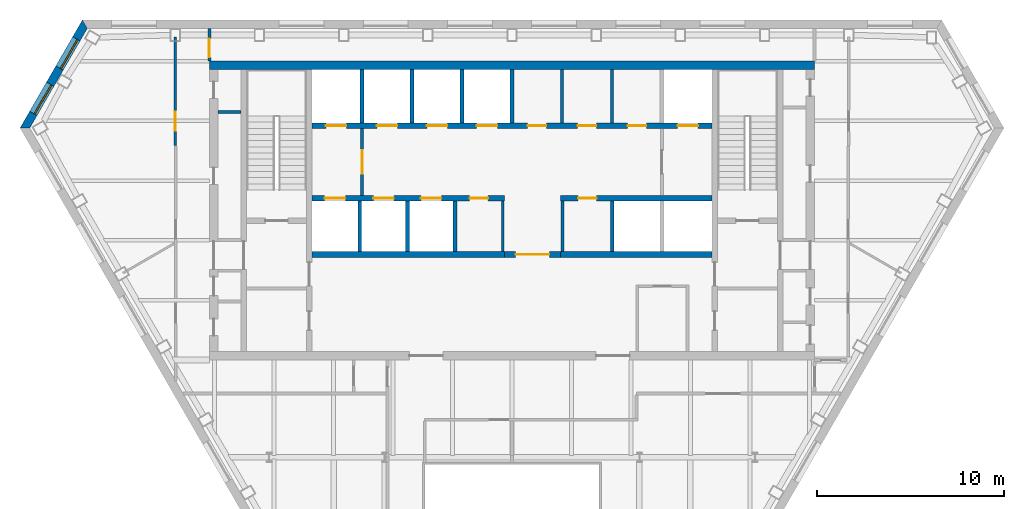
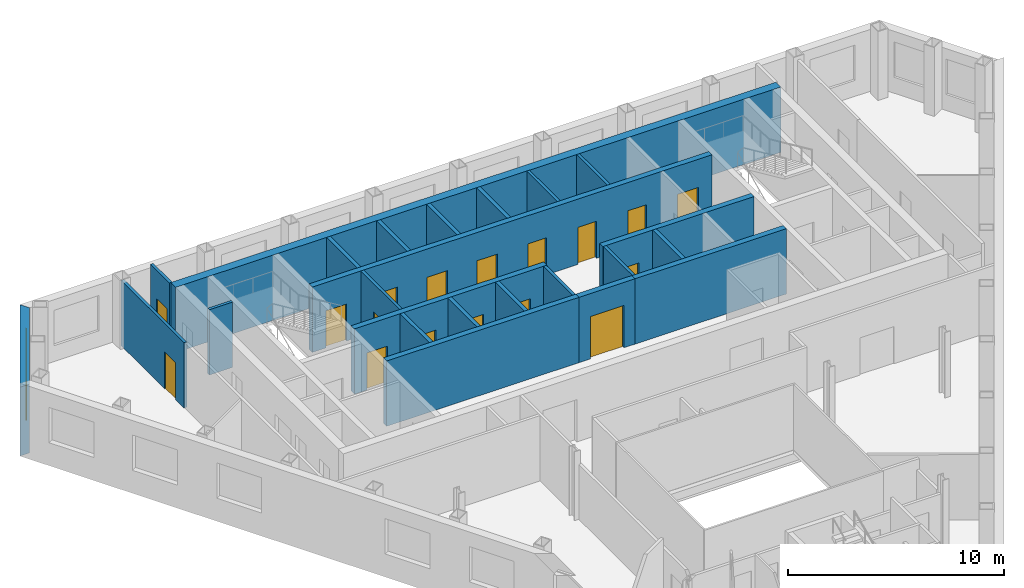
# One storey, part 6 of 10: 24 walls, 17 doors, 2 windows, 19 openings.
"""IFC4 building model written with IfcOpenShell, lengths in metres."""

import ifcopenshell
import ifcopenshell.guid

model = None  # the IFC model being written
_history = None  # IfcOwnerHistory: only IFC2X3 demands one
_inside = {}  # id of a spatial element -> (the spatial element, [elements in it])
_under = {}  # id of a project, library or spatial element -> (it, [spatial elements below it])
_declared = {}  # id of a project -> (the project, [libraries it declares])
_typed = {}  # id of a type object -> (the type object, [elements of that type])
_made_of = {}  # id of a material, layer set ... -> (it, [elements and type objects made of it])


def new_model(schema):
    """Start an empty IFC model of exactly this schema.

    Asked for "IFC4X3", IfcOpenShell would pick the latest addendum, in which some entities
    have other attributes; the version numbers below select the first issue.
    IFC2X3 requires an IfcOwnerHistory on every rooted entity: one is made here for all.
    """
    global model, _history
    if schema == "IFC4X3":
        model = ifcopenshell.file(schema_version=(4, 3, 0, 0))
    else:
        model = ifcopenshell.file(schema=schema)
    _inside.clear()
    _under.clear()
    _declared.clear()
    _typed.clear()
    _made_of.clear()
    _history = None
    if model.schema == "IFC2X3":
        org = make("IfcOrganization", Name="unknown")
        user = make(
            "IfcPersonAndOrganization",
            ThePerson=make("IfcPerson", FamilyName="unknown"),
            TheOrganization=org,
        )
        app = make(
            "IfcApplication",
            ApplicationDeveloper=org,
            Version="unknown",
            ApplicationFullName="unknown",
            ApplicationIdentifier="unknown",
        )
        _history = make(
            "IfcOwnerHistory",
            OwningUser=user,
            OwningApplication=app,
            ChangeAction="ADDED",
            CreationDate=0,
        )
    return model


def make(cls, **values):
    """One entity of the class cls with the attributes given. An attribute that is None is left unset."""
    return model.create_entity(
        cls, **{name: value for name, value in values.items() if value is not None}
    )


def rooted(cls, **values):
    """An entity with a GlobalId (a new one), such as an element, a storey or a relation."""
    return make(cls, GlobalId=ifcopenshell.guid.new(), OwnerHistory=_history, **values)


def si_unit(unit_type, name, prefix=None):
    """IfcSIUnit, for example si_unit("LENGTHUNIT", "METRE", prefix="MILLI")."""
    return make("IfcSIUnit", UnitType=unit_type, Prefix=prefix, Name=name)


def assignment(units):
    """IfcUnitAssignment: the units of a project."""
    return None if units is None else make("IfcUnitAssignment", Units=units)


def point(xyz):
    """IfcCartesianPoint."""
    return None if xyz is None else make("IfcCartesianPoint", Coordinates=xyz)


def direction(xyz):
    """IfcDirection."""
    return None if xyz is None else make("IfcDirection", DirectionRatios=xyz)


def frame(location, z_axis=None, x_axis=None):
    """IfcAxis2Placement3D, a coordinate frame: its origin and axes. An axis left out is left unset."""
    return make(
        "IfcAxis2Placement3D",
        Location=point(location),
        Axis=direction(z_axis),
        RefDirection=direction(x_axis),
    )


def frame_2d(location, x_axis=None):
    """IfcAxis2Placement2D, a coordinate frame in the plane: its origin and x axis."""
    return make(
        "IfcAxis2Placement2D", Location=point(location), RefDirection=direction(x_axis)
    )


def origin():
    """The frame at (0, 0, 0) with its axes left unset."""
    return frame((0.0, 0.0, 0.0))


def place(relative_to, where):
    """IfcLocalPlacement: puts the frame where relative to a parent placement (None: the world)."""
    return make(
        "IfcLocalPlacement", PlacementRelTo=relative_to, RelativePlacement=where
    )


def context(
    kind, dimensions, precision=None, world=None, true_north=None, identifier=None
):
    """IfcGeometricRepresentationContext, for example the 3D "Model" context."""
    return make(
        "IfcGeometricRepresentationContext",
        ContextIdentifier=identifier,
        ContextType=kind,
        CoordinateSpaceDimension=dimensions,
        Precision=precision,
        WorldCoordinateSystem=world,
        TrueNorth=true_north,
    )


def subcontext(parent, identifier, kind, view, scale=None):
    """IfcGeometricRepresentationSubContext, for example "Body" below "Model"."""
    return make(
        "IfcGeometricRepresentationSubContext",
        ContextIdentifier=identifier,
        ContextType=kind,
        ParentContext=parent,
        TargetScale=scale,
        TargetView=view,
    )


def project(units=None, contexts=None):
    """IfcProject with its units and contexts."""
    return rooted(
        "IfcProject",
        Name="project",
        RepresentationContexts=contexts,
        UnitsInContext=assignment(units),
    )


def spatial(cls, under=None, at=None, **own):
    """A site, building, storey or space (cls), placed at a placement, below another one or the project."""
    s = rooted(cls, ObjectPlacement=at, **own)
    if under is not None:
        _under.setdefault(under.id(), (under, []))[1].append(s)
    return s


def polyline(points):
    """IfcPolyline through the points."""
    return make("IfcPolyline", Points=[point(p) for p in points])


def profile(cls, at=None, kind="AREA", **sizes):
    """A parametric profile (cls). Its sizes go by their IFC names, for example OverallWidth=200.0."""
    return make(cls, ProfileType=kind, Position=at, **sizes)


def rectangle(**sizes):
    """IfcRectangleProfileDef."""
    return profile("IfcRectangleProfileDef", **sizes)


def outline(outer, holes=None, kind="AREA"):
    """IfcArbitraryClosedProfileDef: a profile drawn as a closed curve; with holes, ...WithVoids."""
    if holes is None:
        return make("IfcArbitraryClosedProfileDef", ProfileType=kind, OuterCurve=outer)
    return make(
        "IfcArbitraryProfileDefWithVoids",
        ProfileType=kind,
        OuterCurve=outer,
        InnerCurves=holes,
    )


def extrude(swept, where, along, depth):
    """IfcExtrudedAreaSolid: the profile swept, set in the frame where, extruded along a direction by depth."""
    return make(
        "IfcExtrudedAreaSolid",
        SweptArea=swept,
        Position=where,
        ExtrudedDirection=direction(along),
        Depth=depth,
    )


def shape(context_of_items, identifier, shape_type, items):
    """IfcShapeRepresentation: the items that make up one representation, for example the "Body"."""
    return make(
        "IfcShapeRepresentation",
        ContextOfItems=context_of_items,
        RepresentationIdentifier=identifier,
        RepresentationType=shape_type,
        Items=items,
    )


def material(Name=None, Category=None):
    """IfcMaterial."""
    return make("IfcMaterial", Name=Name, Category=Category)


def layer(
    of_material, thickness, ventilated=None, Name=None, Category=None, Priority=None
):
    """IfcMaterialLayer: one layer of a wall or slab, of a material (None: an air gap)."""
    return make(
        "IfcMaterialLayer",
        Material=of_material,
        LayerThickness=thickness,
        IsVentilated=ventilated,
        Name=Name,
        Category=Category,
        Priority=Priority,
    )


def layer_set(layers, Name=None):
    """IfcMaterialLayerSet."""
    return make("IfcMaterialLayerSet", MaterialLayers=layers, LayerSetName=Name)


def made_of(thing, what):
    """Note that an element or type object is made of a material, layer set ...; save() writes the relation."""
    if what is not None:
        _made_of.setdefault(what.id(), (what, []))[1].append(thing)
    return thing


def type_object(cls, material=None, **own):
    """A type object (cls), such as IfcWallType, which elements share."""
    return made_of(rooted(cls, **own), material)


def element(
    cls,
    number,
    at=None,
    inside=None,
    cuts=None,
    type_object=None,
    material=None,
    context=None,
    identifier="Body",
    shape_type=None,
    held_by="IfcProductDefinitionShape",
    body=None,
    shapes=None,
    **own,
):
    """One element of the class cls, such as IfcWall. Its Tag is "e" and its number.

    at: its placement. inside: the storey or other place that contains it. cuts: it is an
    opening in that element (IfcRelVoidsElement). A single representation is given by context,
    identifier, shape_type and body (its items); several are given by shapes. held_by: the class
    of the entity that holds the representations. save() writes the other relations.
    """
    e = rooted(cls, Tag="e%d" % number, ObjectPlacement=at, **own)
    if body is not None:
        shapes = [shape(context, identifier, shape_type, body)]
    if shapes is not None:
        e.Representation = make(held_by, Representations=shapes)
    if inside is not None:
        _inside.setdefault(inside.id(), (inside, []))[1].append(e)
    if cuts is not None:
        rooted(
            "IfcRelVoidsElement", RelatingBuildingElement=cuts, RelatedOpeningElement=e
        )
    if type_object is not None:
        _typed.setdefault(type_object.id(), (type_object, []))[1].append(e)
    return made_of(e, material)


def fill(opening, filler):
    """IfcRelFillsElement: the door or window that sits in an opening."""
    return rooted(
        "IfcRelFillsElement",
        RelatingOpeningElement=opening,
        RelatedBuildingElement=filler,
    )


def aggregate(whole, parts):
    """IfcRelAggregates: a whole, such as a stair, and the parts it consists of."""
    return rooted("IfcRelAggregates", RelatingObject=whole, RelatedObjects=parts)


def save(model, path):
    """Write the relations noted so far, then the file.

    IfcRelAggregates (storeys below a building ...), IfcRelContainedInSpatialStructure (elements
    in a storey), IfcRelDefinesByType, IfcRelAssociatesMaterial and IfcRelDeclares: one each for
    every whole, place, type object, material and project.
    """
    for whole, parts in _under.values():
        aggregate(whole, parts)
    for where, things in _inside.values():
        rooted(
            "IfcRelContainedInSpatialStructure",
            RelatedElements=things,
            RelatingStructure=where,
        )
    for kind, things in _typed.values():
        rooted("IfcRelDefinesByType", RelatedObjects=things, RelatingType=kind)
    for what, things in _made_of.values():
        rooted("IfcRelAssociatesMaterial", RelatedObjects=things, RelatingMaterial=what)
    for by, libraries in _declared.values():
        rooted("IfcRelDeclares", RelatingContext=by, RelatedDefinitions=libraries)
    model.write(path)


model = new_model("IFC4")

# Units and contexts
model_context = context("Model", 3, precision=1e-05, world=origin(), true_north=direction((0.0, 1.0)))
body_context = subcontext(model_context, "Body", "Model", "MODEL_VIEW")
ifc_project = project(units=[si_unit("LENGTHUNIT", "METRE"), si_unit("AREAUNIT", "SQUARE_METRE"), si_unit("VOLUMEUNIT", "CUBIC_METRE"), si_unit("PLANEANGLEUNIT", "RADIAN"), si_unit("MASSUNIT", "GRAM", prefix="KILO")], contexts=[model_context])

# Site, building, storey
site_placement = place(None, origin())
site = spatial("IfcSite", under=ifc_project, at=site_placement, CompositionType="ELEMENT")
building_placement = place(site_placement, origin())
building = spatial("IfcBuilding", under=site, at=building_placement, Name="Njiva Tower", CompositionType="ELEMENT")
storey_placement = place(building_placement, frame((0.0, 0.0, 235.5)))
storey = spatial("IfcBuildingStorey", under=building, at=storey_placement, Name="L53", CompositionType="ELEMENT", Elevation=235.5)

# Walls
ifc_material_1 = material(Name="Blockwork", Category="masonry")
ifc_layer_1 = layer(ifc_material_1, 0.15)
ifc_layer_set_1 = layer_set([ifc_layer_1], Name="Blockwork")
wall_type_1 = type_object("IfcWallType", Name="WT1 Compartment partition 150", PredefinedType="PARTITIONING", material=ifc_layer_set_1)
for number, where, z_axis, x_axis, name in (
    (1, (2.675, 14.7, 0.0), (0.0, 0.0, 1.0), (0.0, 1.0, 0.0), "Partition CN5"),
    (2, (5.35, 14.7, 0.0), (0.0, 0.0, 1.0), (0.0, 1.0, 0.0), "Partition CN6"),
):
    element("IfcWall", number, at=place(storey_placement, frame(where, z_axis=z_axis, x_axis=x_axis)), inside=storey, type_object=wall_type_1, Name=name, PredefinedType="PARTITIONING", context=body_context, shape_type="SweptSolid", body=[
        extrude(rectangle(XDim=2.85, YDim=0.15, at=frame_2d((1.425, 0.0))), origin(), (0.0, 0.0, 1.0), 3.7),
    ])
for number, where, z_axis, x_axis, name in (
    (3, (-0.5, 7.8, 0.0), (0.0, 0.0, 1.0), (0.0, 1.0, 0.0), "Partition CS4"),
    (4, (2.7, 7.8, 0.0), (0.0, 0.0, 1.0), (0.0, 1.0, 0.0), "Partition CS5"),
):
    element("IfcWall", number, at=place(storey_placement, frame(where, z_axis=z_axis, x_axis=x_axis)), inside=storey, type_object=wall_type_1, Name=name, PredefinedType="PARTITIONING", context=body_context, shape_type="SweptSolid", body=[
        extrude(rectangle(XDim=2.7, YDim=0.15, at=frame_2d((1.35, 0.0))), origin(), (0.0, 0.0, 1.0), 3.7),
    ])
ifc_material_2 = material(Name="Concrete C60/75", Category="concrete")
ifc_layer_2 = layer(ifc_material_2, 0.45)
ifc_layer_set_2 = layer_set([ifc_layer_2], Name="Concrete C60/75")
wall_type_2 = type_object("IfcWallType", Name="WT12 Core wall 450", PredefinedType="SHEAR", material=ifc_layer_set_2)
wall_1_placement = place(storey_placement, frame((-16.2, 17.775, 0.0), z_axis=(0.0, 0.0, 1.0), x_axis=(1.0, 0.0, 0.0)))
element("IfcWall", 5, at=wall_1_placement, inside=storey, type_object=wall_type_2, Name="Core wall north", PredefinedType="SHEAR", context=body_context, shape_type="SweptSolid", body=[
    extrude(rectangle(XDim=32.4, YDim=0.45, at=frame_2d((16.2, 0.0))), origin(), (0.0, 0.0, 1.0), 3.7),
])

# Wall, opening, door
ifc_layer_3 = layer(ifc_material_1, 0.15)
ifc_layer_set_3 = layer_set([ifc_layer_3], Name="Blockwork")
wall_type_3 = type_object("IfcWallType", Name="WT2 Lobby partition 150", PredefinedType="PARTITIONING", material=ifc_layer_set_3)
wall_2_placement = place(storey_placement, frame((-8.025, 10.8, 0.0), z_axis=(0.0, 0.0, 1.0), x_axis=(0.0, 1.0, 0.0)))
wall_2 = element("IfcWall", 6, at=wall_2_placement, inside=storey, type_object=wall_type_3, Name="Firefighting lobby wall A", PredefinedType="PARTITIONING", context=body_context, shape_type="SweptSolid", body=[
    extrude(rectangle(XDim=3.6, YDim=0.15, at=frame_2d((1.8, 0.0))), origin(), (0.0, 0.0, 1.0), 3.7),
])
opening_1_placement = place(wall_2_placement, frame((1.175, 0.0, 0.0)))
opening_1 = element("IfcOpeningElement", 7, at=opening_1_placement, cuts=wall_2, Name="Opening S17-D914", PredefinedType="OPENING", context=body_context, shape_type="SweptSolid", body=[
    extrude(rectangle(XDim=1.25, YDim=2.1, at=frame_2d((0.625, 1.05))), frame((0.0, 0.085, 0.0), z_axis=(0.0, -1.0, 0.0), x_axis=(1.0, 0.0, 0.0)), (0.0, 0.0, 1.0), 0.17),
])
ifc_material_3 = material(Name="Glazed steel fire door", Category="steel")
door_type_1 = type_object("IfcDoorType", Name="D8 Vestibule corridor door 1250x2100 glazed", OperationType="SINGLE_SWING_LEFT", PredefinedType="DOOR", material=ifc_material_3)
door_1_placement = place(opening_1_placement, origin())
door_1 = element("IfcDoor", 8, at=door_1_placement, inside=storey, type_object=door_type_1, Name="Stair vestibule corridor door", OperationType="SINGLE_SWING_RIGHT", OverallHeight=2.1, OverallWidth=1.25, PredefinedType="DOOR", context=body_context, shape_type="SweptSolid", body=[
    extrude(rectangle(XDim=1.25, YDim=2.1, at=frame_2d((0.625, 1.05))), frame((0.0, 0.025, 0.0), z_axis=(0.0, -1.0, 0.0), x_axis=(1.0, 0.0, 0.0)), (0.0, 0.0, 1.0), 0.05),
])
fill(opening_1, door_1)

ifc_material_4 = material(Name="Gypsum board on steel studs", Category="gypsum")
ifc_layer_4 = layer(ifc_material_4, 0.15)
ifc_layer_set_4 = layer_set([ifc_layer_4], Name="Gypsum board on steel studs")
wall_type_4 = type_object("IfcWallType", Name="WT21 Compartment wall 150", PredefinedType="PARTITIONING", material=ifc_layer_set_4)
wall_3_placement = place(storey_placement, frame((-18.027, 13.476, 0.0), z_axis=(0.0, 0.0, 1.0), x_axis=(0.0, 1.0, 0.0)))
wall_3 = element("IfcWall", 9, at=wall_3_placement, inside=storey, type_object=wall_type_4, Name="Partition S17-P002", PredefinedType="PARTITIONING", context=body_context, shape_type="SweptSolid", body=[
    extrude(rectangle(XDim=5.824, YDim=0.15, at=frame_2d((2.912, 0.0))), origin(), (0.0, 0.0, 1.0), 3.7),
])
opening_2_placement = place(wall_3_placement, frame((0.803, 0.0, 0.0)))
opening_2 = element("IfcOpeningElement", 10, at=opening_2_placement, cuts=wall_3, Name="Opening S17-D001", PredefinedType="OPENING", context=body_context, shape_type="SweptSolid", body=[
    extrude(rectangle(XDim=1.0, YDim=2.1, at=frame_2d((0.5, 1.05))), frame((0.0, 0.085, 0.0), z_axis=(0.0, -1.0, 0.0), x_axis=(1.0, 0.0, 0.0)), (0.0, 0.0, 1.0), 0.17),
])
ifc_material_5 = material(Name="Steel fire door set", Category="steel")
door_type_2 = type_object("IfcDoorType", Name="D37 Fire door 1000x2100", OperationType="SINGLE_SWING_LEFT", PredefinedType="DOOR", material=ifc_material_5)
door_2_placement = place(opening_2_placement, origin())
door_2 = element("IfcDoor", 11, at=door_2_placement, inside=storey, type_object=door_type_2, Name="Door S17-D001", OperationType="SINGLE_SWING_RIGHT", OverallHeight=2.1, OverallWidth=1.0, PredefinedType="DOOR", context=body_context, shape_type="SweptSolid", body=[
    extrude(rectangle(XDim=1.0, YDim=2.1, at=frame_2d((0.5, 1.05))), frame((0.0, 0.025, 0.0), z_axis=(0.0, -1.0, 0.0), x_axis=(1.0, 0.0, 0.0)), (0.0, 0.0, 1.0), 0.05),
])
fill(opening_2, door_2)

wall_4_placement = place(storey_placement, frame((-16.2, 18.0, 0.0), z_axis=(0.0, 0.0, 1.0), x_axis=(0.0, 1.0, 0.0)))
wall_4 = element("IfcWall", 12, at=wall_4_placement, inside=storey, type_object=wall_type_4, Name="Partition S17-P005", PredefinedType="PARTITIONING", context=body_context, shape_type="SweptSolid", body=[
    extrude(rectangle(XDim=1.75, YDim=0.15, at=frame_2d((0.875, 0.0))), origin(), (0.0, 0.0, 1.0), 3.7),
])
opening_3_placement = place(wall_4_placement, frame((0.2, 0.0, 0.0)))
opening_3 = element("IfcOpeningElement", 13, at=opening_3_placement, cuts=wall_4, Name="Opening S17-D004", PredefinedType="OPENING", context=body_context, shape_type="SweptSolid", body=[
    extrude(rectangle(XDim=1.0, YDim=2.1, at=frame_2d((0.5, 1.05))), frame((0.0, 0.085, 0.0), z_axis=(0.0, -1.0, 0.0), x_axis=(1.0, 0.0, 0.0)), (0.0, 0.0, 1.0), 0.17),
])
door_3_placement = place(opening_3_placement, origin())
door_3 = element("IfcDoor", 14, at=door_3_placement, inside=storey, type_object=door_type_2, Name="Door S17-D004", OperationType="SINGLE_SWING_LEFT", OverallHeight=2.1, OverallWidth=1.0, PredefinedType="DOOR", context=body_context, shape_type="SweptSolid", body=[
    extrude(rectangle(XDim=1.0, YDim=2.1, at=frame_2d((0.5, 1.05))), frame((0.0, 0.025, 0.0), z_axis=(0.0, -1.0, 0.0), x_axis=(1.0, 0.0, 0.0)), (0.0, 0.0, 1.0), 0.05),
])
fill(opening_3, door_3)

# Wall
ifc_layer_5 = layer(ifc_material_1, 0.15)
ifc_layer_set_5 = layer_set([ifc_layer_5], Name="Blockwork")
wall_type_5 = type_object("IfcWallType", Name="WT3 Riser partition 150", PredefinedType="PARTITIONING", material=ifc_layer_set_5)
wall_5_placement = place(storey_placement, frame((-15.75, 15.2772, 0.0), z_axis=(0.0, 0.0, 1.0), x_axis=(1.0, 0.0, 0.0)))
element("IfcWall", 15, at=wall_5_placement, inside=storey, type_object=wall_type_5, Name="Partition strip W10", PredefinedType="PARTITIONING", context=body_context, shape_type="SweptSolid", body=[
    extrude(rectangle(XDim=1.25, YDim=0.15, at=frame_2d((0.625, 0.0))), origin(), (0.0, 0.0, 1.0), 3.7),
])

# Wall, opening, door
ifc_layer_6 = layer(ifc_material_1, 0.3)
ifc_layer_set_6 = layer_set([ifc_layer_6], Name="Blockwork")
wall_type_6 = type_object("IfcWallType", Name="WT5 Lobby partition 300", PredefinedType="PARTITIONING", material=ifc_layer_set_6)
wall_6_placement = place(storey_placement, frame((-0.4, 7.65, 0.0), z_axis=(0.0, 0.0, 1.0), x_axis=(1.0, 0.0, 0.0)))
wall_6 = element("IfcWall", 16, at=wall_6_placement, inside=storey, type_object=wall_type_6, Name="Lift lobby screen wall", PredefinedType="PARTITIONING", context=body_context, shape_type="SweptSolid", body=[
    extrude(rectangle(XDim=3.0, YDim=0.3, at=frame_2d((1.5, 0.0))), origin(), (0.0, 0.0, 1.0), 3.7),
])
opening_4_placement = place(wall_6_placement, frame((0.6, 0.0, 0.0)))
opening_4 = element("IfcOpeningElement", 17, at=opening_4_placement, cuts=wall_6, Name="Opening S17-D935", PredefinedType="OPENING", context=body_context, shape_type="SweptSolid", body=[
    extrude(rectangle(XDim=1.8, YDim=2.4, at=frame_2d((0.9, 1.2))), frame((0.0, 0.16, 0.0), z_axis=(0.0, -1.0, 0.0), x_axis=(1.0, 0.0, 0.0)), (0.0, 0.0, 1.0), 0.32),
])
ifc_material_6 = material(Name="Steel and glass door", Category="steel")
door_type_3 = type_object("IfcDoorType", Name="D3 Core entrance door 1800x2400", OperationType="DOUBLE_DOOR_SINGLE_SWING", PredefinedType="DOOR", material=ifc_material_6)
door_4_placement = place(opening_4_placement, origin())
door_4 = element("IfcDoor", 18, at=door_4_placement, inside=storey, type_object=door_type_3, Name="Core entrance door", OperationType="DOUBLE_DOOR_SINGLE_SWING", OverallHeight=2.4, OverallWidth=1.8, PredefinedType="DOOR", context=body_context, shape_type="SweptSolid", body=[
    extrude(rectangle(XDim=1.8, YDim=2.4, at=frame_2d((0.9, 1.2))), frame((0.0, 0.025, 0.0), z_axis=(0.0, -1.0, 0.0), x_axis=(1.0, 0.0, 0.0)), (0.0, 0.0, 1.0), 0.05),
])
fill(opening_4, door_4)

# Walls
ifc_material_7 = material(Name="Concrete C40/50", Category="concrete")
ifc_layer_7 = layer(ifc_material_7, 0.2)
ifc_layer_set_7 = layer_set([ifc_layer_7], Name="Concrete C40/50")
wall_type_7 = type_object("IfcWallType", Name="WT6 Lift shaft wall 200", PredefinedType="SHEAR", material=ifc_layer_set_7)
for number, where, z_axis, x_axis, name in (
    (19, (-8.025, 14.7, 0.0), (0.0, 0.0, 1.0), (0.0, 1.0, 0.0), "Shaft wall CN1"),
    (20, (-5.35, 14.7, 0.0), (0.0, 0.0, 1.0), (0.0, 1.0, 0.0), "Shaft wall CN2"),
    (21, (-2.675, 14.7, 0.0), (0.0, 0.0, 1.0), (0.0, 1.0, 0.0), "Shaft wall CN3"),
    (22, (0.0, 14.7, 0.0), (0.0, 0.0, 1.0), (0.0, 1.0, 0.0), "Shaft wall CN4"),
):
    element("IfcWall", number, at=place(storey_placement, frame(where, z_axis=z_axis, x_axis=x_axis)), inside=storey, type_object=wall_type_7, Name=name, PredefinedType="SHEAR", context=body_context, shape_type="SweptSolid", body=[
        extrude(rectangle(XDim=2.85, YDim=0.2, at=frame_2d((1.425, 0.0))), origin(), (0.0, 0.0, 1.0), 3.7),
    ])
for number, where, z_axis, x_axis, name in (
    (23, (-8.15, 7.8, 0.0), (0.0, 0.0, 1.0), (0.0, 1.0, 0.0), "Shaft wall CS1"),
    (24, (-5.6, 7.8, 0.0), (0.0, 0.0, 1.0), (0.0, 1.0, 0.0), "Shaft wall CS2"),
    (25, (-3.05, 7.8, 0.0), (0.0, 0.0, 1.0), (0.0, 1.0, 0.0), "Shaft wall CS3"),
    (26, (5.3667, 7.8, 0.0), (0.0, 0.0, 1.0), (0.0, 1.0, 0.0), "Shaft wall CS6"),
):
    element("IfcWall", number, at=place(storey_placement, frame(where, z_axis=z_axis, x_axis=x_axis)), inside=storey, type_object=wall_type_7, Name=name, PredefinedType="SHEAR", context=body_context, shape_type="SweptSolid", body=[
        extrude(rectangle(XDim=2.7, YDim=0.2, at=frame_2d((1.35, 0.0))), origin(), (0.0, 0.0, 1.0), 3.7),
    ])

# Wall, openings, doors
ifc_layer_8 = layer(ifc_material_7, 0.3)
ifc_layer_set_8 = layer_set([ifc_layer_8], Name="Concrete C40/50")
wall_type_8 = type_object("IfcWallType", Name="WT7 Lift shaft wall 300", PredefinedType="SHEAR", material=ifc_layer_set_8)
wall_7_placement = place(storey_placement, frame((-10.7, 14.55, 0.0), z_axis=(0.0, 0.0, 1.0), x_axis=(1.0, 0.0, 0.0)))
wall_7 = element("IfcWall", 27, at=wall_7_placement, inside=storey, type_object=wall_type_8, Name="Shaft wall north row lobby side", PredefinedType="SHEAR", context=body_context, shape_type="SweptSolid", body=[
    extrude(rectangle(XDim=21.4, YDim=0.3, at=frame_2d((10.7, 0.0))), origin(), (0.0, 0.0, 1.0), 3.7),
])
opening_5_placement = place(wall_7_placement, frame((0.7375, 0.0, 0.0)))
opening_5 = element("IfcOpeningElement", 28, at=opening_5_placement, cuts=wall_7, Name="Opening S17-D901", PredefinedType="OPENING", context=body_context, shape_type="SweptSolid", body=[
    extrude(rectangle(XDim=1.1, YDim=2.1, at=frame_2d((0.55, 1.05))), frame((0.0, 0.16, 0.0), z_axis=(0.0, -1.0, 0.0), x_axis=(1.0, 0.0, 0.0)), (0.0, 0.0, 1.0), 0.32),
])
opening_6_placement = place(wall_7_placement, frame((3.4625, 0.0, 0.0)))
opening_6 = element("IfcOpeningElement", 29, at=opening_6_placement, cuts=wall_7, Name="Opening S17-D902", PredefinedType="OPENING", context=body_context, shape_type="SweptSolid", body=[
    extrude(rectangle(XDim=1.1, YDim=2.1, at=frame_2d((0.55, 1.05))), frame((0.0, 0.16, 0.0), z_axis=(0.0, -1.0, 0.0), x_axis=(1.0, 0.0, 0.0)), (0.0, 0.0, 1.0), 0.32),
])
opening_7_placement = place(wall_7_placement, frame((6.1375, 0.0, 0.0)))
opening_7 = element("IfcOpeningElement", 30, at=opening_7_placement, cuts=wall_7, Name="Opening S17-D903", PredefinedType="OPENING", context=body_context, shape_type="SweptSolid", body=[
    extrude(rectangle(XDim=1.1, YDim=2.1, at=frame_2d((0.55, 1.05))), frame((0.0, 0.16, 0.0), z_axis=(0.0, -1.0, 0.0), x_axis=(1.0, 0.0, 0.0)), (0.0, 0.0, 1.0), 0.32),
])
opening_8_placement = place(wall_7_placement, frame((8.8125, 0.0, 0.0)))
opening_8 = element("IfcOpeningElement", 31, at=opening_8_placement, cuts=wall_7, Name="Opening S17-D904", PredefinedType="OPENING", context=body_context, shape_type="SweptSolid", body=[
    extrude(rectangle(XDim=1.1, YDim=2.1, at=frame_2d((0.55, 1.05))), frame((0.0, 0.16, 0.0), z_axis=(0.0, -1.0, 0.0), x_axis=(1.0, 0.0, 0.0)), (0.0, 0.0, 1.0), 0.32),
])
opening_9_placement = place(wall_7_placement, frame((19.5625, 0.0, 0.0)))
opening_9 = element("IfcOpeningElement", 32, at=opening_9_placement, cuts=wall_7, Name="Opening S17-D905", PredefinedType="OPENING", context=body_context, shape_type="SweptSolid", body=[
    extrude(rectangle(XDim=1.1, YDim=2.1, at=frame_2d((0.55, 1.05))), frame((0.0, 0.16, 0.0), z_axis=(0.0, -1.0, 0.0), x_axis=(1.0, 0.0, 0.0)), (0.0, 0.0, 1.0), 0.32),
])
opening_10_placement = place(wall_7_placement, frame((11.5375, 0.0, 0.0)))
opening_10 = element("IfcOpeningElement", 33, at=opening_10_placement, cuts=wall_7, Name="Opening S17-D909", PredefinedType="OPENING", context=body_context, shape_type="SweptSolid", body=[
    extrude(rectangle(XDim=1.0, YDim=2.1, at=frame_2d((0.5, 1.05))), frame((0.0, 0.16, 0.0), z_axis=(0.0, -1.0, 0.0), x_axis=(1.0, 0.0, 0.0)), (0.0, 0.0, 1.0), 0.32),
])
opening_11_placement = place(wall_7_placement, frame((14.2125, 0.0, 0.0)))
opening_11 = element("IfcOpeningElement", 34, at=opening_11_placement, cuts=wall_7, Name="Opening S17-D910", PredefinedType="OPENING", context=body_context, shape_type="SweptSolid", body=[
    extrude(rectangle(XDim=1.0, YDim=2.1, at=frame_2d((0.5, 1.05))), frame((0.0, 0.16, 0.0), z_axis=(0.0, -1.0, 0.0), x_axis=(1.0, 0.0, 0.0)), (0.0, 0.0, 1.0), 0.32),
])
opening_12_placement = place(wall_7_placement, frame((16.8875, 0.0, 0.0)))
opening_12 = element("IfcOpeningElement", 35, at=opening_12_placement, cuts=wall_7, Name="Opening S17-D911", PredefinedType="OPENING", context=body_context, shape_type="SweptSolid", body=[
    extrude(rectangle(XDim=1.0, YDim=2.1, at=frame_2d((0.5, 1.05))), frame((0.0, 0.16, 0.0), z_axis=(0.0, -1.0, 0.0), x_axis=(1.0, 0.0, 0.0)), (0.0, 0.0, 1.0), 0.32),
])
ifc_material_8 = material(Name="Steel door, painted", Category="steel")
door_type_4 = type_object("IfcDoorType", Name="D5 Steel door 1000x2100", OperationType="SINGLE_SWING_LEFT", PredefinedType="DOOR", material=ifc_material_8)
door_5_placement = place(opening_10_placement, origin())
door_5 = element("IfcDoor", 36, at=door_5_placement, inside=storey, type_object=door_type_4, Name="Business centre door", OperationType="SINGLE_SWING_LEFT", OverallHeight=2.1, OverallWidth=1.0, PredefinedType="DOOR", context=body_context, shape_type="SweptSolid", body=[
    extrude(rectangle(XDim=1.0, YDim=2.1, at=frame_2d((0.5, 1.05))), frame((0.0, 0.025, 0.0), z_axis=(0.0, -1.0, 0.0), x_axis=(1.0, 0.0, 0.0)), (0.0, 0.0, 1.0), 0.05),
])
fill(opening_10, door_5)
door_6_placement = place(opening_11_placement, origin())
door_6 = element("IfcDoor", 37, at=door_6_placement, inside=storey, type_object=door_type_4, Name="Meeting room door", OperationType="SINGLE_SWING_LEFT", OverallHeight=2.1, OverallWidth=1.0, PredefinedType="DOOR", context=body_context, shape_type="SweptSolid", body=[
    extrude(rectangle(XDim=1.0, YDim=2.1, at=frame_2d((0.5, 1.05))), frame((0.0, 0.025, 0.0), z_axis=(0.0, -1.0, 0.0), x_axis=(1.0, 0.0, 0.0)), (0.0, 0.0, 1.0), 0.05),
])
fill(opening_11, door_6)
door_7_placement = place(opening_12_placement, origin())
door_7 = element("IfcDoor", 38, at=door_7_placement, inside=storey, type_object=door_type_4, Name="Breakout room door", OperationType="SINGLE_SWING_LEFT", OverallHeight=2.1, OverallWidth=1.0, PredefinedType="DOOR", context=body_context, shape_type="SweptSolid", body=[
    extrude(rectangle(XDim=1.0, YDim=2.1, at=frame_2d((0.5, 1.05))), frame((0.0, 0.025, 0.0), z_axis=(0.0, -1.0, 0.0), x_axis=(1.0, 0.0, 0.0)), (0.0, 0.0, 1.0), 0.05),
])
fill(opening_12, door_7)
ifc_material_9 = material(Name="Stainless steel sliding door", Category="steel")
door_type_5 = type_object("IfcDoorType", Name="LD Lift landing door 1100x2100", OperationType="SLIDING_TO_LEFT", PredefinedType="DOOR", material=ifc_material_9)
door_8_placement = place(opening_5_placement, origin())
door_8 = element("IfcDoor", 39, at=door_8_placement, inside=storey, type_object=door_type_5, Name="Lift landing door FF1", OperationType="SLIDING_TO_LEFT", OverallHeight=2.1, OverallWidth=1.1, PredefinedType="DOOR", context=body_context, shape_type="SweptSolid", body=[
    extrude(rectangle(XDim=1.1, YDim=2.1, at=frame_2d((0.55, 1.05))), frame((0.0, 0.025, 0.0), z_axis=(0.0, -1.0, 0.0), x_axis=(1.0, 0.0, 0.0)), (0.0, 0.0, 1.0), 0.05),
])
fill(opening_5, door_8)
door_9_placement = place(opening_6_placement, origin())
door_9 = element("IfcDoor", 40, at=door_9_placement, inside=storey, type_object=door_type_5, Name="Lift landing door MB4", OperationType="SLIDING_TO_LEFT", OverallHeight=2.1, OverallWidth=1.1, PredefinedType="DOOR", context=body_context, shape_type="SweptSolid", body=[
    extrude(rectangle(XDim=1.1, YDim=2.1, at=frame_2d((0.55, 1.05))), frame((0.0, 0.025, 0.0), z_axis=(0.0, -1.0, 0.0), x_axis=(1.0, 0.0, 0.0)), (0.0, 0.0, 1.0), 0.05),
])
fill(opening_6, door_9)
door_10_placement = place(opening_7_placement, origin())
door_10 = element("IfcDoor", 41, at=door_10_placement, inside=storey, type_object=door_type_5, Name="Lift landing door MB5", OperationType="SLIDING_TO_LEFT", OverallHeight=2.1, OverallWidth=1.1, PredefinedType="DOOR", context=body_context, shape_type="SweptSolid", body=[
    extrude(rectangle(XDim=1.1, YDim=2.1, at=frame_2d((0.55, 1.05))), frame((0.0, 0.025, 0.0), z_axis=(0.0, -1.0, 0.0), x_axis=(1.0, 0.0, 0.0)), (0.0, 0.0, 1.0), 0.05),
])
fill(opening_7, door_10)
door_11_placement = place(opening_8_placement, origin())
door_11 = element("IfcDoor", 42, at=door_11_placement, inside=storey, type_object=door_type_5, Name="Lift landing door MB6", OperationType="SLIDING_TO_LEFT", OverallHeight=2.1, OverallWidth=1.1, PredefinedType="DOOR", context=body_context, shape_type="SweptSolid", body=[
    extrude(rectangle(XDim=1.1, YDim=2.1, at=frame_2d((0.55, 1.05))), frame((0.0, 0.025, 0.0), z_axis=(0.0, -1.0, 0.0), x_axis=(1.0, 0.0, 0.0)), (0.0, 0.0, 1.0), 0.05),
])
fill(opening_8, door_11)
door_12_placement = place(opening_9_placement, origin())
door_12 = element("IfcDoor", 43, at=door_12_placement, inside=storey, type_object=door_type_5, Name="Lift landing door FF2", OperationType="SLIDING_TO_LEFT", OverallHeight=2.1, OverallWidth=1.1, PredefinedType="DOOR", context=body_context, shape_type="SweptSolid", body=[
    extrude(rectangle(XDim=1.1, YDim=2.1, at=frame_2d((0.55, 1.05))), frame((0.0, 0.025, 0.0), z_axis=(0.0, -1.0, 0.0), x_axis=(1.0, 0.0, 0.0)), (0.0, 0.0, 1.0), 0.05),
])
fill(opening_9, door_12)

wall_8_placement = place(storey_placement, frame((-10.7, 10.65, 0.0), z_axis=(0.0, 0.0, 1.0), x_axis=(1.0, 0.0, 0.0)))
wall_8 = element("IfcWall", 44, at=wall_8_placement, inside=storey, type_object=wall_type_8, Name="Shaft wall south row lobby side W", PredefinedType="SHEAR", context=body_context, shape_type="SweptSolid", body=[
    extrude(rectangle(XDim=10.3, YDim=0.3, at=frame_2d((5.15, 0.0))), origin(), (0.0, 0.0, 1.0), 3.7),
])
opening_13_placement = place(wall_8_placement, frame((0.675, 0.0, 0.0)))
opening_13 = element("IfcOpeningElement", 45, at=opening_13_placement, cuts=wall_8, Name="Opening S17-D906", PredefinedType="OPENING", context=body_context, shape_type="SweptSolid", body=[
    extrude(rectangle(XDim=1.1, YDim=2.1, at=frame_2d((0.55, 1.05))), frame((0.0, 0.16, 0.0), z_axis=(0.0, -1.0, 0.0), x_axis=(1.0, 0.0, 0.0)), (0.0, 0.0, 1.0), 0.32),
])
opening_14_placement = place(wall_8_placement, frame((3.275, 0.0, 0.0)))
opening_14 = element("IfcOpeningElement", 46, at=opening_14_placement, cuts=wall_8, Name="Opening S17-D907", PredefinedType="OPENING", context=body_context, shape_type="SweptSolid", body=[
    extrude(rectangle(XDim=1.1, YDim=2.1, at=frame_2d((0.55, 1.05))), frame((0.0, 0.16, 0.0), z_axis=(0.0, -1.0, 0.0), x_axis=(1.0, 0.0, 0.0)), (0.0, 0.0, 1.0), 0.32),
])
opening_15_placement = place(wall_8_placement, frame((5.825, 0.0, 0.0)))
opening_15 = element("IfcOpeningElement", 47, at=opening_15_placement, cuts=wall_8, Name="Opening S17-D908", PredefinedType="OPENING", context=body_context, shape_type="SweptSolid", body=[
    extrude(rectangle(XDim=1.1, YDim=2.1, at=frame_2d((0.55, 1.05))), frame((0.0, 0.16, 0.0), z_axis=(0.0, -1.0, 0.0), x_axis=(1.0, 0.0, 0.0)), (0.0, 0.0, 1.0), 0.32),
])
opening_16_placement = place(wall_8_placement, frame((8.425, 0.0, 0.0)))
opening_16 = element("IfcOpeningElement", 48, at=opening_16_placement, cuts=wall_8, Name="Opening S17-D912", PredefinedType="OPENING", context=body_context, shape_type="SweptSolid", body=[
    extrude(rectangle(XDim=1.0, YDim=2.1, at=frame_2d((0.5, 1.05))), frame((0.0, 0.16, 0.0), z_axis=(0.0, -1.0, 0.0), x_axis=(1.0, 0.0, 0.0)), (0.0, 0.0, 1.0), 0.32),
])
door_13_placement = place(opening_16_placement, origin())
door_13 = element("IfcDoor", 49, at=door_13_placement, inside=storey, type_object=door_type_4, Name="Breakout room door", OperationType="SINGLE_SWING_RIGHT", OverallHeight=2.1, OverallWidth=1.0, PredefinedType="DOOR", context=body_context, shape_type="SweptSolid", body=[
    extrude(rectangle(XDim=1.0, YDim=2.1, at=frame_2d((0.5, 1.05))), frame((0.0, 0.025, 0.0), z_axis=(0.0, -1.0, 0.0), x_axis=(1.0, 0.0, 0.0)), (0.0, 0.0, 1.0), 0.05),
])
fill(opening_16, door_13)
door_14_placement = place(opening_13_placement, origin())
door_14 = element("IfcDoor", 50, at=door_14_placement, inside=storey, type_object=door_type_5, Name="Lift landing door MB1", OperationType="SLIDING_TO_LEFT", OverallHeight=2.1, OverallWidth=1.1, PredefinedType="DOOR", context=body_context, shape_type="SweptSolid", body=[
    extrude(rectangle(XDim=1.1, YDim=2.1, at=frame_2d((0.55, 1.05))), frame((0.0, 0.025, 0.0), z_axis=(0.0, -1.0, 0.0), x_axis=(1.0, 0.0, 0.0)), (0.0, 0.0, 1.0), 0.05),
])
fill(opening_13, door_14)
door_15_placement = place(opening_14_placement, origin())
door_15 = element("IfcDoor", 51, at=door_15_placement, inside=storey, type_object=door_type_5, Name="Lift landing door MB2", OperationType="SLIDING_TO_LEFT", OverallHeight=2.1, OverallWidth=1.1, PredefinedType="DOOR", context=body_context, shape_type="SweptSolid", body=[
    extrude(rectangle(XDim=1.1, YDim=2.1, at=frame_2d((0.55, 1.05))), frame((0.0, 0.025, 0.0), z_axis=(0.0, -1.0, 0.0), x_axis=(1.0, 0.0, 0.0)), (0.0, 0.0, 1.0), 0.05),
])
fill(opening_14, door_15)
door_16_placement = place(opening_15_placement, origin())
door_16 = element("IfcDoor", 52, at=door_16_placement, inside=storey, type_object=door_type_5, Name="Lift landing door MB3", OperationType="SLIDING_TO_LEFT", OverallHeight=2.1, OverallWidth=1.1, PredefinedType="DOOR", context=body_context, shape_type="SweptSolid", body=[
    extrude(rectangle(XDim=1.1, YDim=2.1, at=frame_2d((0.55, 1.05))), frame((0.0, 0.025, 0.0), z_axis=(0.0, -1.0, 0.0), x_axis=(1.0, 0.0, 0.0)), (0.0, 0.0, 1.0), 0.05),
])
fill(opening_15, door_16)

# Wall
wall_9_placement = place(storey_placement, frame((-10.7, 7.65, 0.0), z_axis=(0.0, 0.0, 1.0), x_axis=(1.0, 0.0, 0.0)))
element("IfcWall", 53, at=wall_9_placement, inside=storey, type_object=wall_type_8, Name="Shaft wall south row back W", PredefinedType="SHEAR", context=body_context, shape_type="SweptSolid", body=[
    extrude(rectangle(XDim=10.3, YDim=0.3, at=frame_2d((5.15, 0.0))), origin(), (0.0, 0.0, 1.0), 3.7),
])

# Wall, opening, door
wall_10_placement = place(storey_placement, frame((2.6, 10.65, 0.0), z_axis=(0.0, 0.0, 1.0), x_axis=(1.0, 0.0, 0.0)))
wall_10 = element("IfcWall", 54, at=wall_10_placement, inside=storey, type_object=wall_type_8, Name="Shaft wall south row lobby side E", PredefinedType="SHEAR", context=body_context, shape_type="SweptSolid", body=[
    extrude(rectangle(XDim=8.1, YDim=0.3, at=frame_2d((4.05, 0.0))), origin(), (0.0, 0.0, 1.0), 3.7),
])
opening_17_placement = place(wall_10_placement, frame((0.9334, 0.0, 0.0)))
opening_17 = element("IfcOpeningElement", 55, at=opening_17_placement, cuts=wall_10, Name="Opening S17-D913", PredefinedType="OPENING", context=body_context, shape_type="SweptSolid", body=[
    extrude(rectangle(XDim=1.0, YDim=2.1, at=frame_2d((0.5, 1.05))), frame((0.0, 0.16, 0.0), z_axis=(0.0, -1.0, 0.0), x_axis=(1.0, 0.0, 0.0)), (0.0, 0.0, 1.0), 0.32),
])
door_17_placement = place(opening_17_placement, origin())
door_17 = element("IfcDoor", 56, at=door_17_placement, inside=storey, type_object=door_type_4, Name="Reading room door", OperationType="SINGLE_SWING_LEFT", OverallHeight=2.1, OverallWidth=1.0, PredefinedType="DOOR", context=body_context, shape_type="SweptSolid", body=[
    extrude(rectangle(XDim=1.0, YDim=2.1, at=frame_2d((0.5, 1.05))), frame((0.0, 0.025, 0.0), z_axis=(0.0, -1.0, 0.0), x_axis=(1.0, 0.0, 0.0)), (0.0, 0.0, 1.0), 0.05),
])
fill(opening_17, door_17)

# Wall
wall_11_placement = place(storey_placement, frame((2.6, 7.65, 0.0), z_axis=(0.0, 0.0, 1.0), x_axis=(1.0, 0.0, 0.0)))
element("IfcWall", 57, at=wall_11_placement, inside=storey, type_object=wall_type_8, Name="Shaft wall south row back E", PredefinedType="SHEAR", context=body_context, shape_type="SweptSolid", body=[
    extrude(rectangle(XDim=8.1, YDim=0.3, at=frame_2d((4.05, 0.0))), origin(), (0.0, 0.0, 1.0), 3.7),
])

# Wall, openings, windows
ifc_material_10 = material(Name="Brick masonry, buff", Category="masonry")
ifc_layer_9 = layer(ifc_material_10, 0.45)
ifc_layer_set_9 = layer_set([ifc_layer_9], Name="Brick masonry, buff")
wall_type_9 = type_object("IfcWallType", Name="WT94 Brick pier and spandrel wall 450, buff", PredefinedType="SOLIDWALL", material=ifc_layer_set_9)
wall_12_placement = place(storey_placement, frame((-22.8688, 19.9772, -0.4), z_axis=(0.0, 0.0, 1.0), x_axis=(-0.499997052475, -0.866027105532, 0.0)))
wall_12 = element("IfcWall", 58, at=wall_12_placement, inside=storey, type_object=wall_type_9, Name="Facade wall NW", PredefinedType="SOLIDWALL", context=body_context, shape_type="SweptSolid", body=[
    extrude(outline(polyline([(-0.1299, -0.225), (6.5501, -0.225), (6.2903, 0.225), (0.1299, 0.225), (-0.1299, -0.225)])), origin(), (0.0, 0.0, 1.0), 3.9),
])
opening_18_placement = place(wall_12_placement, frame((0.9094, 0.0, 1.3)))
opening_18 = element("IfcOpeningElement", 59, at=opening_18_placement, cuts=wall_12, Name="Opening S17-W09", PredefinedType="OPENING", context=body_context, shape_type="SweptSolid", body=[
    extrude(rectangle(XDim=1.8, YDim=2.0, at=frame_2d((0.9, 1.0))), frame((0.0, 0.235, 0.0), z_axis=(0.0, -1.0, 0.0), x_axis=(1.0, 0.0, 0.0)), (0.0, 0.0, 1.0), 0.47),
])
opening_19_placement = place(wall_12_placement, frame((3.7107, 0.0, 1.3)))
opening_19 = element("IfcOpeningElement", 60, at=opening_19_placement, cuts=wall_12, Name="Opening S17-W10", PredefinedType="OPENING", context=body_context, shape_type="SweptSolid", body=[
    extrude(rectangle(XDim=1.8, YDim=2.0, at=frame_2d((0.9, 1.0))), frame((0.0, 0.235, 0.0), z_axis=(0.0, -1.0, 0.0), x_axis=(1.0, 0.0, 0.0)), (0.0, 0.0, 1.0), 0.47),
])
ifc_material_11 = material(Name="Clear glazing in aluminium frame", Category="aluminium")
window_type = type_object("IfcWindowType", Name="W94 Deep-set window 1800x2000", PartitioningType="SINGLE_PANEL", PredefinedType="WINDOW", material=ifc_material_11)
window_1_placement = place(opening_18_placement, origin())
window_1 = element("IfcWindow", 61, at=window_1_placement, inside=storey, type_object=window_type, Name="Window", OverallHeight=2.0, OverallWidth=1.8, PartitioningType="SINGLE_PANEL", PredefinedType="WINDOW", context=body_context, shape_type="SweptSolid", body=[
    extrude(rectangle(XDim=1.8, YDim=2.0, at=frame_2d((0.9, 1.0))), frame((0.0, 0.105, 0.0), z_axis=(0.0, -1.0, 0.0), x_axis=(1.0, 0.0, 0.0)), (0.0, 0.0, 1.0), 0.06),
])
fill(opening_18, window_1)
window_2_placement = place(opening_19_placement, origin())
window_2 = element("IfcWindow", 62, at=window_2_placement, inside=storey, type_object=window_type, Name="Window", OverallHeight=2.0, OverallWidth=1.8, PartitioningType="SINGLE_PANEL", PredefinedType="WINDOW", context=body_context, shape_type="SweptSolid", body=[
    extrude(rectangle(XDim=1.8, YDim=2.0, at=frame_2d((0.9, 1.0))), frame((0.0, 0.105, 0.0), z_axis=(0.0, -1.0, 0.0), x_axis=(1.0, 0.0, 0.0)), (0.0, 0.0, 1.0), 0.06),
])
fill(opening_19, window_2)

save(model, "model.ifc")
